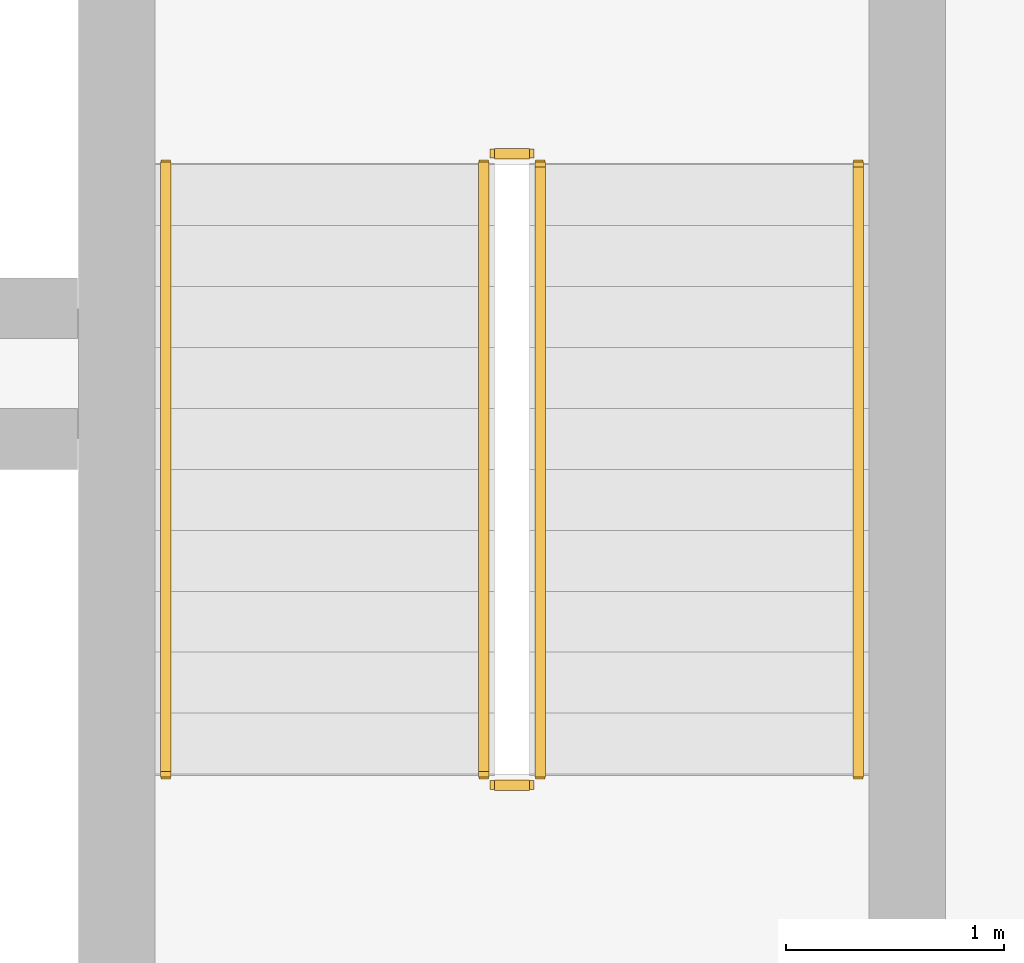
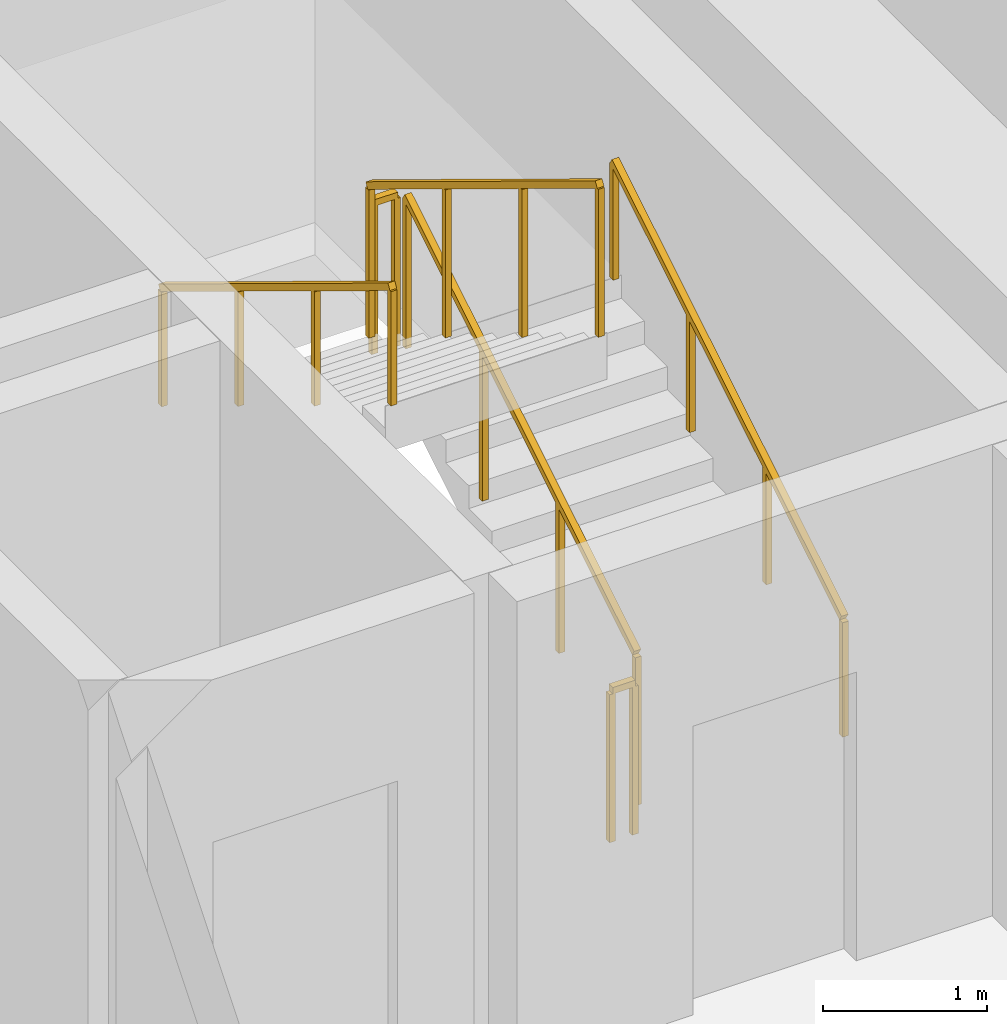
# One storey, part 14 of 14: 6 railings.
"""IFC4 building model written with IfcOpenShell, lengths in metres."""

from ifc_helpers import new_model, si_unit, direction, frame, origin, origin_2d, place, context, subcontext, project, spatial, rectangle, extrude, material, type_object, element, save


model = new_model("IFC4")

# Units and contexts
model_context = context("Model", 3, precision=1e-05, world=origin(), true_north=direction((0.0, 1.0)))
body_context = subcontext(model_context, "Body", "Model", "MODEL_VIEW")
ifc_project = project(units=[si_unit("LENGTHUNIT", "METRE"), si_unit("AREAUNIT", "SQUARE_METRE"), si_unit("VOLUMEUNIT", "CUBIC_METRE"), si_unit("PLANEANGLEUNIT", "RADIAN"), si_unit("MASSUNIT", "GRAM", prefix="KILO")], contexts=[model_context])

# Site, building, storey
site_placement = place(None, origin())
site = spatial("IfcSite", under=ifc_project, at=site_placement, CompositionType="ELEMENT")
building_placement = place(site_placement, origin())
building = spatial("IfcBuilding", under=site, at=building_placement, Name="Kaelvorn Grand Hotel", CompositionType="ELEMENT")
storey_placement = place(building_placement, frame((0.0, 0.0, 119.300048828125)))
storey = spatial("IfcBuildingStorey", under=building, at=storey_placement, Name="L28", CompositionType="ELEMENT", Elevation=119.300048828125)

# Railings
ifc_material = material(Name="Stainless Steel", Category="steel")
railing_type_1 = type_object("IfcRailingType", Name="RL-HANDRAIL-900", PredefinedType="HANDRAIL", material=ifc_material)
railing_1_placement = place(storey_placement, frame((66.550048828125, 41.760009765625, 0.17041015625)))
element("IfcRailing", 1, at=railing_1_placement, inside=storey, type_object=railing_type_1, Name="L28 ST3 stair handrail 1", PredefinedType="HANDRAIL", context=body_context, shape_type="SweptSolid", body=[
    extrude(rectangle(XDim=0.048095703125, YDim=0.048095703125, at=origin_2d()), frame((0.0, 0.0, 0.8759765625), z_axis=(0.0, 0.854169791009, 0.51999420009), x_axis=(-1.0, 0.0, 0.0)), (0.0, 0.0, 1.0), 3.278076171875),
    extrude(rectangle(XDim=0.0419921875, YDim=0.0419921875, at=origin_2d()), origin(), (0.0, 0.0, 1.0), 0.851806640625),
    extrude(rectangle(XDim=0.0419921875, YDim=0.0419921875, at=origin_2d()), frame((0.0, 0.933349609375, 0.568115234375)), (0.0, 0.0, 1.0), 0.851806640625),
    extrude(rectangle(XDim=0.0419921875, YDim=0.0419921875, at=origin_2d()), frame((0.0, 1.86669921875, 1.136474609375)), (0.0, 0.0, 1.0), 0.851806640625),
    extrude(rectangle(XDim=0.0419921875, YDim=0.0419921875, at=origin_2d()), frame((0.0, 2.800048828125, 1.70458984375)), (0.0, 0.0, 1.0), 0.851806640625),
])
railing_2_placement = place(storey_placement, frame((63.3701171875, 44.56005859375, 2.04541015625)))
element("IfcRailing", 2, at=railing_2_placement, inside=storey, type_object=railing_type_1, Name="L28 ST3 stair handrail 2", PredefinedType="HANDRAIL", context=body_context, shape_type="SweptSolid", body=[
    extrude(rectangle(XDim=0.048095703125, YDim=0.048095703125, at=origin_2d()), frame((0.0, 0.0, 0.8759765625), z_axis=(0.0, -0.854169791009, 0.51999420009), x_axis=(1.0, 0.0, 0.0)), (0.0, 0.0, 1.0), 3.278076171875),
    extrude(rectangle(XDim=0.0419921875, YDim=0.0419921875, at=origin_2d()), origin(), (0.0, 0.0, 1.0), 0.851806640625),
    extrude(rectangle(XDim=0.0419921875, YDim=0.0419921875, at=origin_2d()), frame((0.0, -0.933349609375, 0.568115234375)), (0.0, 0.0, 1.0), 0.851806640625),
    extrude(rectangle(XDim=0.0419921875, YDim=0.0419921875, at=origin_2d()), frame((0.0, -1.86669921875, 1.136474609375)), (0.0, 0.0, 1.0), 0.851806640625),
    extrude(rectangle(XDim=0.0419921875, YDim=0.0419921875, at=origin_2d()), frame((0.0, -2.800048828125, 1.70458984375)), (0.0, 0.0, 1.0), 0.851806640625),
])
railing_type_2 = type_object("IfcRailingType", Name="RL-STAIR-GUARD-1150", PredefinedType="BALUSTRADE", material=ifc_material)
railing_3_placement = place(storey_placement, frame((65.090087890625, 41.760009765625, 0.17041015625)))
element("IfcRailing", 3, at=railing_3_placement, inside=storey, type_object=railing_type_2, Name="L28 ST3 stair guard 1", PredefinedType="BALUSTRADE", context=body_context, shape_type="SweptSolid", body=[
    extrude(rectangle(XDim=0.048095703125, YDim=0.048095703125, at=origin_2d()), frame((0.0, 0.0, 1.1259765625), z_axis=(0.0, 0.854169791009, 0.51999420009), x_axis=(-1.0, 0.0, 0.0)), (0.0, 0.0, 1.0), 3.278076171875),
    extrude(rectangle(XDim=0.0419921875, YDim=0.0419921875, at=origin_2d()), origin(), (0.0, 0.0, 1.0), 1.101806640625),
    extrude(rectangle(XDim=0.0419921875, YDim=0.0419921875, at=origin_2d()), frame((0.0, 0.933349609375, 0.568115234375)), (0.0, 0.0, 1.0), 1.101806640625),
    extrude(rectangle(XDim=0.0419921875, YDim=0.0419921875, at=origin_2d()), frame((0.0, 1.86669921875, 1.136474609375)), (0.0, 0.0, 1.0), 1.101806640625),
    extrude(rectangle(XDim=0.0419921875, YDim=0.0419921875, at=origin_2d()), frame((0.0, 2.800048828125, 1.70458984375)), (0.0, 0.0, 1.0), 1.101806640625),
])
railing_4_placement = place(storey_placement, frame((65.0400390625, 44.610107421875, 1.875)))
element("IfcRailing", 4, at=railing_4_placement, inside=storey, type_object=railing_type_2, Name="L28 ST3 stair guard 2", PredefinedType="BALUSTRADE", context=body_context, shape_type="SweptSolid", body=[
    extrude(rectangle(XDim=0.048095703125, YDim=0.048095703125, at=origin_2d()), frame((0.0, 0.0, 1.1259765625), z_axis=(-1.0, 0.0, 0.0), x_axis=(0.0, -1.0, 0.0)), (0.0, 0.0, 1.0), 0.16015625),
    extrude(rectangle(XDim=0.0419921875, YDim=0.0419921875, at=origin_2d()), origin(), (0.0, 0.0, 1.0), 1.101806640625),
    extrude(rectangle(XDim=0.0419921875, YDim=0.0419921875, at=origin_2d()), frame((-0.16015625, 0.0, 0.0)), (0.0, 0.0, 1.0), 1.101806640625),
])
railing_5_placement = place(storey_placement, frame((64.830078125, 44.56005859375, 2.04541015625)))
element("IfcRailing", 5, at=railing_5_placement, inside=storey, type_object=railing_type_2, Name="L28 ST3 stair guard 3", PredefinedType="BALUSTRADE", context=body_context, shape_type="SweptSolid", body=[
    extrude(rectangle(XDim=0.048095703125, YDim=0.048095703125, at=origin_2d()), frame((0.0, 0.0, 1.1259765625), z_axis=(0.0, -0.854169791009, 0.51999420009), x_axis=(1.0, 0.0, 0.0)), (0.0, 0.0, 1.0), 3.278076171875),
    extrude(rectangle(XDim=0.0419921875, YDim=0.0419921875, at=origin_2d()), origin(), (0.0, 0.0, 1.0), 1.101806640625),
    extrude(rectangle(XDim=0.0419921875, YDim=0.0419921875, at=origin_2d()), frame((0.0, -0.933349609375, 0.568115234375)), (0.0, 0.0, 1.0), 1.101806640625),
    extrude(rectangle(XDim=0.0419921875, YDim=0.0419921875, at=origin_2d()), frame((0.0, -1.86669921875, 1.136474609375)), (0.0, 0.0, 1.0), 1.101806640625),
    extrude(rectangle(XDim=0.0419921875, YDim=0.0419921875, at=origin_2d()), frame((0.0, -2.800048828125, 1.70458984375)), (0.0, 0.0, 1.0), 1.101806640625),
])
railing_6_placement = place(storey_placement, frame((65.0400390625, 41.7099609375, 0.0)))
element("IfcRailing", 6, at=railing_6_placement, inside=storey, type_object=railing_type_2, Name="L28 ST3 stair guard 4", PredefinedType="BALUSTRADE", context=body_context, shape_type="SweptSolid", body=[
    extrude(rectangle(XDim=0.048095703125, YDim=0.048095703125, at=origin_2d()), frame((0.0, 0.0, 1.1259765625), z_axis=(-1.0, 0.0, 0.0), x_axis=(0.0, -1.0, 0.0)), (0.0, 0.0, 1.0), 0.16015625),
    extrude(rectangle(XDim=0.0419921875, YDim=0.0419921875, at=origin_2d()), origin(), (0.0, 0.0, 1.0), 1.101806640625),
    extrude(rectangle(XDim=0.0419921875, YDim=0.0419921875, at=origin_2d()), frame((-0.16015625, 0.0, 0.0)), (0.0, 0.0, 1.0), 1.101806640625),
])

save(model, "model.ifc")
